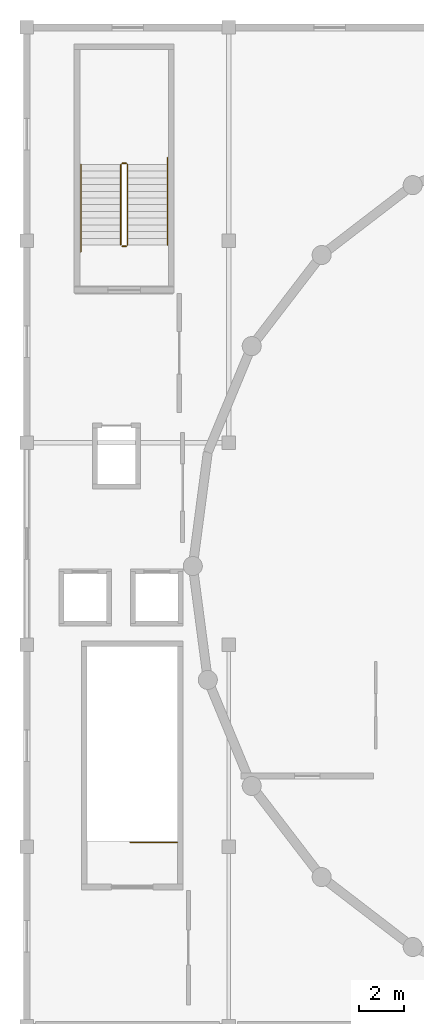
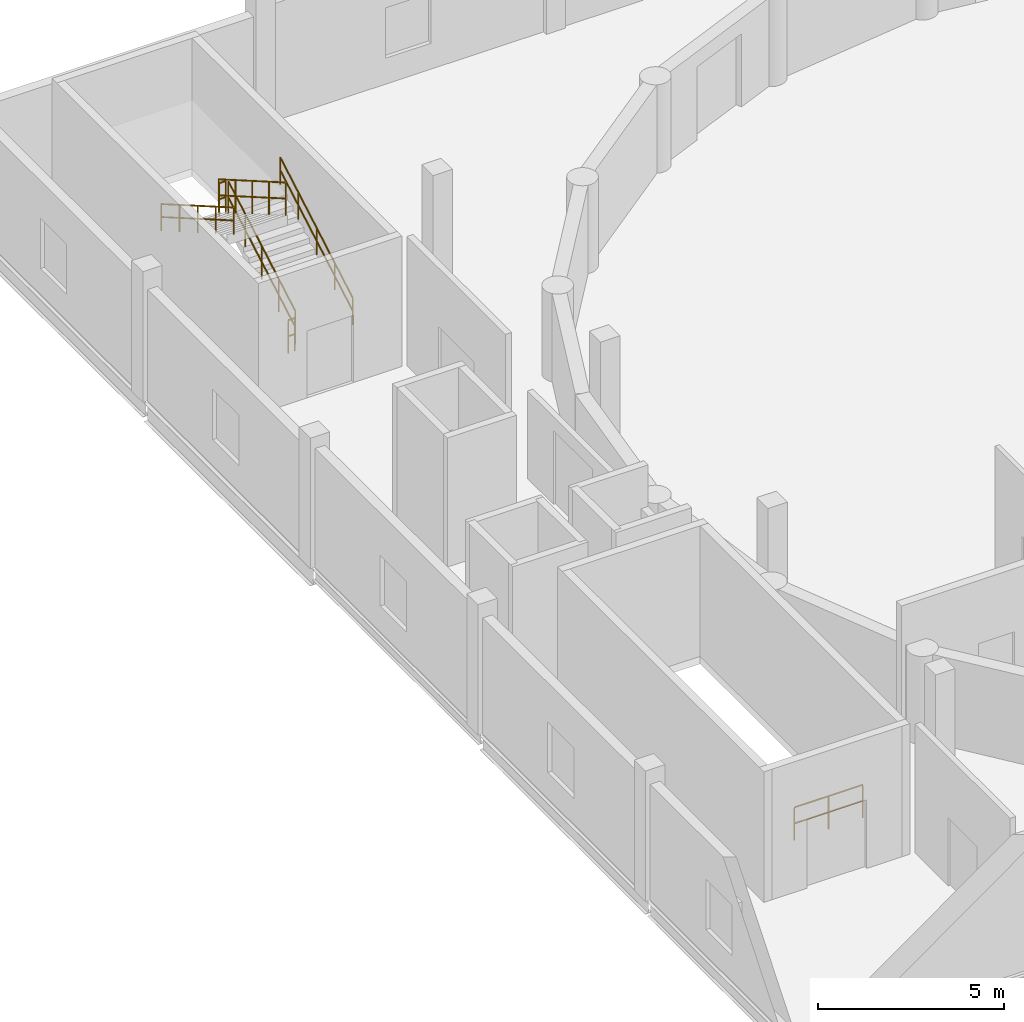
# One storey, part 8 of 10: 7 railings.
"""IFC4 building model written with IfcOpenShell, lengths in metres."""

from ifc_helpers import new_model, si_unit, direction, frame, origin, origin_2d, place, context, subcontext, project, spatial, circle, extrude, material, type_object, element, save


model = new_model("IFC4")

# Units and contexts
model_context = context("Model", 3, precision=1e-05, world=origin(), true_north=direction((0.0, 1.0)))
body_context = subcontext(model_context, "Body", "Model", "MODEL_VIEW")
ifc_project = project(units=[si_unit("LENGTHUNIT", "METRE"), si_unit("AREAUNIT", "SQUARE_METRE"), si_unit("VOLUMEUNIT", "CUBIC_METRE"), si_unit("PLANEANGLEUNIT", "RADIAN"), si_unit("MASSUNIT", "GRAM", prefix="KILO")], contexts=[model_context])

# Site, building, storey
site_placement = place(None, origin())
site = spatial("IfcSite", under=ifc_project, at=site_placement, CompositionType="ELEMENT")
building_placement = place(site_placement, origin())
building = spatial("IfcBuilding", under=site, at=building_placement, Name="Marnock Terrace Opera House", CompositionType="ELEMENT")
storey_placement = place(building_placement, frame((0.0, 0.0, 23.699951171875)))
storey = spatial("IfcBuildingStorey", under=building, at=storey_placement, Name="L05", CompositionType="ELEMENT", Elevation=23.699951171875)

# Railings
ifc_material = material(Name="Architectural bronze balustrade")
railing_type_1 = type_object("IfcRailingType", Name="RL-GUARD-1100", PredefinedType="GUARDRAIL", material=ifc_material)
railing_1_placement = place(storey_placement, frame((61.719970703125, 48.18994140625, 0.0)))
element("IfcRailing", 1, at=railing_1_placement, inside=storey, type_object=railing_type_1, Name="L05 ST-01 top well guard 1", PredefinedType="GUARDRAIL", context=body_context, shape_type="SweptSolid", body=[
    extrude(circle(Radius=0.02392578125, at=origin_2d()), frame((0.0, 0.0, 1.076171875), z_axis=(-1.0, 0.0, 0.0), x_axis=(0.0, -1.0, 0.0)), (0.0, 0.0, 1.0), 2.119873046875),
    extrude(circle(Radius=0.02392578125, at=origin_2d()), frame((0.0, 0.0, 0.550048828125), z_axis=(-1.0, 0.0, 0.0), x_axis=(0.0, -1.0, 0.0)), (0.0, 0.0, 1.0), 2.119873046875),
    extrude(circle(Radius=0.02099609375, at=origin_2d()), origin(), (0.0, 0.0, 1.0), 1.052001953125),
    extrude(circle(Radius=0.02099609375, at=origin_2d()), frame((-1.06005859375, 0.0, 0.0)), (0.0, 0.0, 1.0), 1.052001953125),
    extrude(circle(Radius=0.02099609375, at=origin_2d()), frame((-2.119873046875, 0.0, 0.0)), (0.0, 0.0, 1.0), 1.052001953125),
])
railing_2_placement = place(storey_placement, frame((59.489990234375, 74.800048828125, 0.173095703125)))
element("IfcRailing", 2, at=railing_2_placement, inside=storey, type_object=railing_type_1, Name="L05 ST-03 stair guard 1", PredefinedType="GUARDRAIL", context=body_context, shape_type="SweptSolid", body=[
    extrude(circle(Radius=0.02392578125, at=origin_2d()), frame((0.0, 0.0, 1.076171875), z_axis=(0.0, 0.866178740119, 0.499734319579), x_axis=(-1.0, 0.0, 0.0)), (0.0, 0.0, 1.0), 4.156005859375),
    extrude(circle(Radius=0.02392578125, at=origin_2d()), frame((0.0, 0.0, 0.550048828125), z_axis=(0.0, 0.866178740119, 0.499734319579), x_axis=(-1.0, 0.0, 0.0)), (0.0, 0.0, 1.0), 4.156005859375),
    extrude(circle(Radius=0.02099609375, at=origin_2d()), origin(), (0.0, 0.0, 1.0), 1.052001953125),
    extrude(circle(Radius=0.02099609375, at=origin_2d()), frame((0.0, 0.89990234375, 0.519287109375)), (0.0, 0.0, 1.0), 1.052001953125),
    extrude(circle(Radius=0.02099609375, at=origin_2d()), frame((0.0, 1.7998046875, 1.03857421875)), (0.0, 0.0, 1.0), 1.052001953125),
    extrude(circle(Radius=0.02099609375, at=origin_2d()), frame((0.0, 2.699951171875, 1.5576171875)), (0.0, 0.0, 1.0), 1.052001953125),
    extrude(circle(Radius=0.02099609375, at=origin_2d()), frame((0.0, 3.599853515625, 2.076904296875)), (0.0, 0.0, 1.0), 1.052001953125),
])
railing_3_placement = place(storey_placement, frame((59.43994140625, 78.449951171875, 2.25)))
element("IfcRailing", 3, at=railing_3_placement, inside=storey, type_object=railing_type_1, Name="L05 ST-03 stair guard 2", PredefinedType="GUARDRAIL", context=body_context, shape_type="SweptSolid", body=[
    extrude(circle(Radius=0.02392578125, at=origin_2d()), frame((0.0, 0.0, 1.076171875), z_axis=(-1.0, 0.0, 0.0), x_axis=(0.0, -1.0, 0.0)), (0.0, 0.0, 1.0), 0.199951171875),
    extrude(circle(Radius=0.02392578125, at=origin_2d()), frame((0.0, 0.0, 0.550048828125), z_axis=(-1.0, 0.0, 0.0), x_axis=(0.0, -1.0, 0.0)), (0.0, 0.0, 1.0), 0.199951171875),
    extrude(circle(Radius=0.02099609375, at=origin_2d()), origin(), (0.0, 0.0, 1.0), 1.052001953125),
    extrude(circle(Radius=0.02099609375, at=origin_2d()), frame((-0.199951171875, 0.0, 0.0)), (0.0, 0.0, 1.0), 1.052001953125),
])
railing_4_placement = place(storey_placement, frame((59.18994140625, 78.39990234375, 2.423095703125)))
element("IfcRailing", 4, at=railing_4_placement, inside=storey, type_object=railing_type_1, Name="L05 ST-03 stair guard 3", PredefinedType="GUARDRAIL", context=body_context, shape_type="SweptSolid", body=[
    extrude(circle(Radius=0.02392578125, at=origin_2d()), frame((0.0, 0.0, 1.076171875), z_axis=(0.0, -0.866178740119, 0.499734319579), x_axis=(1.0, 0.0, 0.0)), (0.0, 0.0, 1.0), 4.156005859375),
    extrude(circle(Radius=0.02392578125, at=origin_2d()), frame((0.0, 0.0, 0.550048828125), z_axis=(0.0, -0.866178740119, 0.499734319579), x_axis=(1.0, 0.0, 0.0)), (0.0, 0.0, 1.0), 4.156005859375),
    extrude(circle(Radius=0.02099609375, at=origin_2d()), origin(), (0.0, 0.0, 1.0), 1.052001953125),
    extrude(circle(Radius=0.02099609375, at=origin_2d()), frame((0.0, -0.89990234375, 0.519287109375)), (0.0, 0.0, 1.0), 1.052001953125),
    extrude(circle(Radius=0.02099609375, at=origin_2d()), frame((0.0, -1.7998046875, 1.03857421875)), (0.0, 0.0, 1.0), 1.052001953125),
    extrude(circle(Radius=0.02099609375, at=origin_2d()), frame((0.0, -2.699951171875, 1.5576171875)), (0.0, 0.0, 1.0), 1.052001953125),
    extrude(circle(Radius=0.02099609375, at=origin_2d()), frame((0.0, -3.599853515625, 2.076904296875)), (0.0, 0.0, 1.0), 1.052001953125),
])
railing_5_placement = place(storey_placement, frame((59.43994140625, 74.75, 0.0)))
element("IfcRailing", 5, at=railing_5_placement, inside=storey, type_object=railing_type_1, Name="L05 ST-03 stair guard 4", PredefinedType="GUARDRAIL", context=body_context, shape_type="SweptSolid", body=[
    extrude(circle(Radius=0.02392578125, at=origin_2d()), frame((0.0, 0.0, 1.076171875), z_axis=(-1.0, 0.0, 0.0), x_axis=(0.0, -1.0, 0.0)), (0.0, 0.0, 1.0), 0.199951171875),
    extrude(circle(Radius=0.02392578125, at=origin_2d()), frame((0.0, 0.0, 0.550048828125), z_axis=(-1.0, 0.0, 0.0), x_axis=(0.0, -1.0, 0.0)), (0.0, 0.0, 1.0), 0.199951171875),
    extrude(circle(Radius=0.02099609375, at=origin_2d()), origin(), (0.0, 0.0, 1.0), 1.052001953125),
    extrude(circle(Radius=0.02099609375, at=origin_2d()), frame((-0.199951171875, 0.0, 0.0)), (0.0, 0.0, 1.0), 1.052001953125),
])
railing_type_2 = type_object("IfcRailingType", Name="RL-HAND-900", PredefinedType="HANDRAIL", material=ifc_material)
railing_6_placement = place(storey_placement, frame((61.27001953125, 74.800048828125, 0.18505859375)))
element("IfcRailing", 6, at=railing_6_placement, inside=storey, type_object=railing_type_2, Name="L05 ST-03 stair handrail 1", PredefinedType="HANDRAIL", context=body_context, shape_type="SweptSolid", body=[
    extrude(circle(Radius=0.02392578125, at=origin_2d()), frame((0.0, 0.0, 0.8759765625), z_axis=(0.0, 0.866180169578, 0.49973184192), x_axis=(-1.0, 0.0, 0.0)), (0.0, 0.0, 1.0), 4.50244140625),
    extrude(circle(Radius=0.02392578125, at=origin_2d()), frame((0.0, 0.0, 0.449951171875), z_axis=(0.0, 0.866180169578, 0.49973184192), x_axis=(-1.0, 0.0, 0.0)), (0.0, 0.0, 1.0), 4.50244140625),
    extrude(circle(Radius=0.02099609375, at=origin_2d()), origin(), (0.0, 0.0, 1.0), 0.851806640625),
    extrude(circle(Radius=0.02099609375, at=origin_2d()), frame((0.0, 0.97509765625, 0.5625)), (0.0, 0.0, 1.0), 0.851806640625),
    extrude(circle(Radius=0.02099609375, at=origin_2d()), frame((0.0, 1.949951171875, 1.125)), (0.0, 0.0, 1.0), 0.851806640625),
    extrude(circle(Radius=0.02099609375, at=origin_2d()), frame((0.0, 2.9248046875, 1.6875)), (0.0, 0.0, 1.0), 0.851806640625),
    extrude(circle(Radius=0.02099609375, at=origin_2d()), frame((0.0, 3.89990234375, 2.25)), (0.0, 0.0, 1.0), 0.851806640625),
])
railing_7_placement = place(storey_placement, frame((57.409912109375, 78.39990234375, 2.43505859375)))
element("IfcRailing", 7, at=railing_7_placement, inside=storey, type_object=railing_type_2, Name="L05 ST-03 stair handrail 2", PredefinedType="HANDRAIL", context=body_context, shape_type="SweptSolid", body=[
    extrude(circle(Radius=0.02392578125, at=origin_2d()), frame((0.0, 0.0, 0.8759765625), z_axis=(0.0, -0.866180169578, 0.49973184192), x_axis=(1.0, 0.0, 0.0)), (0.0, 0.0, 1.0), 4.50244140625),
    extrude(circle(Radius=0.02392578125, at=origin_2d()), frame((0.0, 0.0, 0.449951171875), z_axis=(0.0, -0.866180169578, 0.49973184192), x_axis=(1.0, 0.0, 0.0)), (0.0, 0.0, 1.0), 4.50244140625),
    extrude(circle(Radius=0.02099609375, at=origin_2d()), origin(), (0.0, 0.0, 1.0), 0.851806640625),
    extrude(circle(Radius=0.02099609375, at=origin_2d()), frame((0.0, -0.97509765625, 0.5625)), (0.0, 0.0, 1.0), 0.851806640625),
    extrude(circle(Radius=0.02099609375, at=origin_2d()), frame((0.0, -1.949951171875, 1.125)), (0.0, 0.0, 1.0), 0.851806640625),
    extrude(circle(Radius=0.02099609375, at=origin_2d()), frame((0.0, -2.9248046875, 1.6875)), (0.0, 0.0, 1.0), 0.851806640625),
    extrude(circle(Radius=0.02099609375, at=origin_2d()), frame((0.0, -3.89990234375, 2.25)), (0.0, 0.0, 1.0), 0.851806640625),
])

save(model, "model.ifc")
